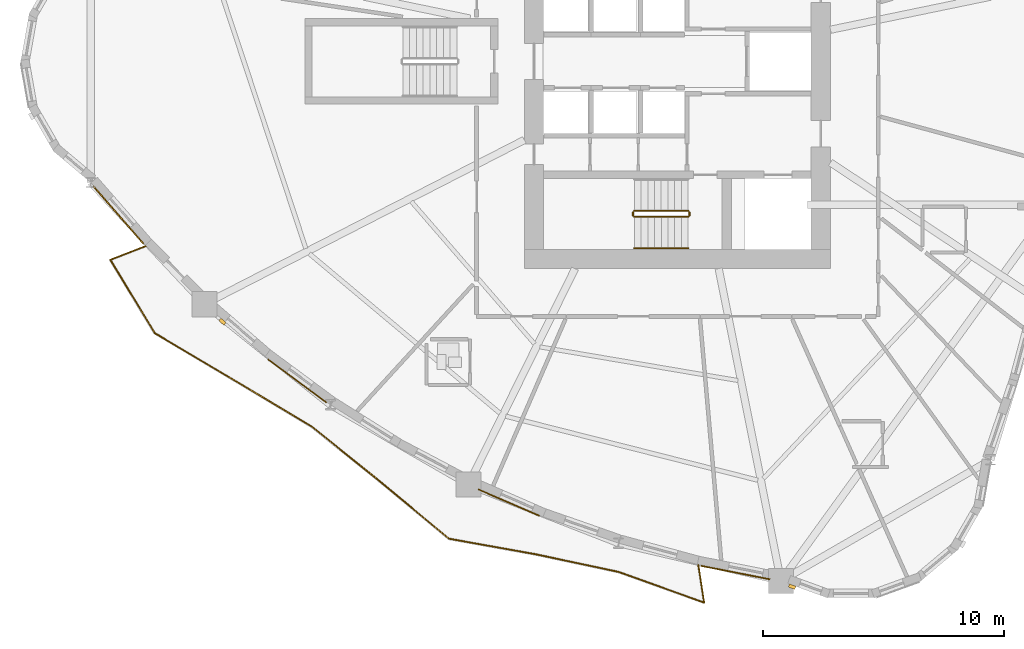
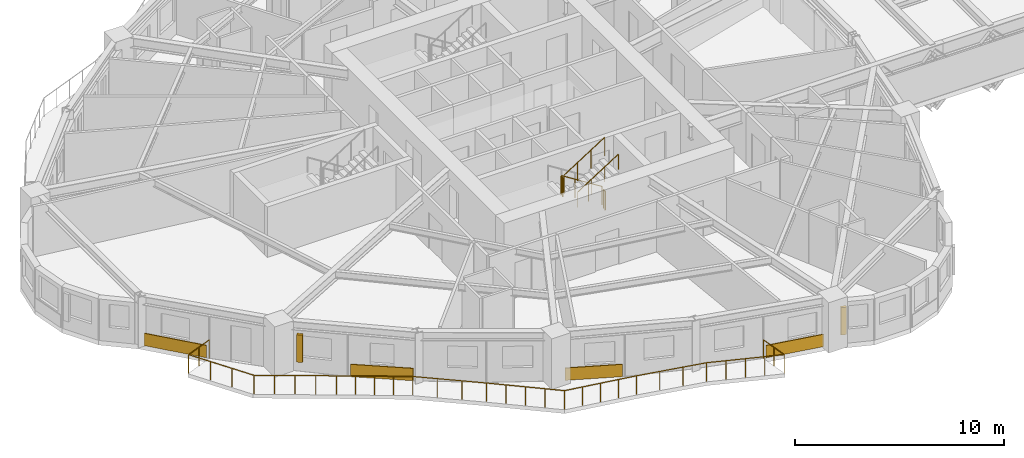
# One storey, part 12 of 16: 6 railings, 4 coverings, 2 shading devices.
"""IFC4 building model written with IfcOpenShell, lengths in metres."""

from ifc_helpers import new_model, si_unit, direction, frame, origin, origin_2d, place, context, subcontext, project, spatial, rectangle, circle, extrude, source, transform, mapped, material, layer, layer_set, type_object, element, save


model = new_model("IFC4")

# Units and contexts
model_context = context("Model", 3, precision=1e-05, world=origin(), true_north=direction((0.0, 1.0)))
body_context = subcontext(model_context, "Body", "Model", "MODEL_VIEW")
ifc_project = project(units=[si_unit("LENGTHUNIT", "METRE"), si_unit("AREAUNIT", "SQUARE_METRE"), si_unit("VOLUMEUNIT", "CUBIC_METRE"), si_unit("PLANEANGLEUNIT", "RADIAN"), si_unit("MASSUNIT", "GRAM", prefix="KILO")], contexts=[model_context])

# Site, building, storey
site_placement = place(None, origin())
site = spatial("IfcSite", under=ifc_project, at=site_placement, CompositionType="ELEMENT")
building_placement = place(site_placement, origin())
building = spatial("IfcBuilding", under=site, at=building_placement, Name="Qafzar Sky-Pleat Residences", CompositionType="ELEMENT")
storey_placement = place(building_placement, frame((0.0, 0.0, 33.39990234375)))
storey = spatial("IfcBuildingStorey", under=building, at=storey_placement, Name="L09", CompositionType="ELEMENT", Elevation=33.39990234375)

# Shading devices
ifc_material_1 = material(Name="Honed Riyadh limestone solar fin", Category="masonry")
ifc_layer_1 = layer(ifc_material_1, 0.139892578125)
ifc_layer_set_1 = layer_set([ifc_layer_1], Name="Honed Riyadh limestone solar fin")
shading_device_type = type_object("IfcShadingDeviceType", Name="SHD-FIN-STONE", PredefinedType="SHUTTER", material=ifc_layer_set_1)
shared_shape_1 = source(origin(), body_context, "Body", "SweptSolid", [
    extrude(rectangle(XDim=0.139892578125, YDim=0.280029296875, at=origin_2d()), origin(), (0.0, 0.0, 1.0), 1.60009765625),
])
for number, where, z_axis, x_axis, name in (
    (1, (11.478515625, 15.2001953125, 0.60009765625), (0.0, 0.0, 1.0), (-0.652861447294, -0.757477346616, 0.0), "L09 Limestone Solar Fin 9"),
    (2, (35.10791015625, 4.20703125, 0.60009765625), (0.0, 0.0, 1.0), (-0.342010122116, -0.939696268148, 0.0), "L09 Limestone Solar Fin 17"),
):
    element("IfcShadingDevice", number, at=place(storey_placement, frame(where, z_axis=z_axis, x_axis=x_axis)), inside=storey, type_object=shading_device_type, Name=name, PredefinedType="SHUTTER", context=body_context, shape_type="MappedRepresentation", body=[
        mapped(shared_shape_1, transform((0.0, 0.0, 0.0), x_axis=(1.0, 0.0, 0.0), y_axis=(0.0, 1.0, 0.0), z_axis=(0.0, 0.0, 1.0), scale=1.0)),
    ])

# Coverings
ifc_material_2 = material(Name="Honed Riyadh Tuwaiq limestone cladding", Category="masonry")
ifc_layer_2 = layer(ifc_material_2, 0.044921875)
ifc_layer_set_2 = layer_set([ifc_layer_2], Name="Honed Riyadh Tuwaiq limestone cladding")
covering_type = type_object("IfcCoveringType", Name="COV-CLAD-STONE", PredefinedType="CLADDING", material=ifc_layer_set_2)
shared_shape_2 = source(origin(), body_context, "Body", "SweptSolid", [
    extrude(rectangle(XDim=2.75927734375, YDim=0.044921875, at=origin_2d()), origin(), (0.0, 0.0, 1.0), 0.719970703125),
])
covering_1_placement = place(storey_placement, frame((23.35546875, 7.695068359375, 0.02001953125), z_axis=(0.0, 0.0, 1.0), x_axis=(0.917079389831, -0.398704643499, 0.0)))
element("IfcCovering", 3, at=covering_1_placement, inside=storey, type_object=covering_type, Name="L09 Riyadh Limestone Spandrel Cladding 13", PredefinedType="CLADDING", context=body_context, shape_type="MappedRepresentation", body=[
    mapped(shared_shape_2, transform((0.0, 0.0, 0.0), x_axis=(1.0, 0.0, 0.0), y_axis=(0.0, 1.0, 0.0), z_axis=(0.0, 0.0, 1.0), scale=1.0)),
])
shared_shape_3 = source(origin(), body_context, "Body", "SweptSolid", [
    extrude(rectangle(XDim=3.01123046875, YDim=0.044921875, at=origin_2d()), origin(), (0.0, 0.0, 1.0), 0.719970703125),
])
covering_2_placement = place(storey_placement, frame((14.582275390625, 12.741943359375, 0.02001953125), z_axis=(0.0, 0.0, 1.0), x_axis=(0.803807027233, -0.594890126805, 0.0)))
element("IfcCovering", 4, at=covering_2_placement, inside=storey, type_object=covering_type, Name="L09 Riyadh Limestone Spandrel Cladding 10", PredefinedType="CLADDING", context=body_context, shape_type="MappedRepresentation", body=[
    mapped(shared_shape_3, transform((0.0, 0.0, 0.0), x_axis=(1.0, 0.0, 0.0), y_axis=(0.0, 1.0, 0.0), z_axis=(0.0, 0.0, 1.0), scale=1.0)),
])

# Railing
ifc_material_3 = material(Name="Laminated glass and bronze steel balustrade", Category="steel")
railing_type_1 = type_object("IfcRailingType", Name="RAIL-BAL-1100", PredefinedType="BALUSTRADE", material=ifc_material_3)
shared_shape_4 = source(origin(), body_context, "Body", "SweptSolid", [
    extrude(circle(Radius=0.02392578125, at=origin_2d()), frame((0.0, 0.0, 1.076171875), z_axis=(-0.932039510577, -0.362356662313, 0.0), x_axis=(0.362356662313, -0.932039510577, 0.0)), (0.0, 0.0, 1.0), 1.577880859375),
    extrude(circle(Radius=0.02392578125, at=origin_2d()), frame((-1.470703125, -0.57177734375, 1.076171875), z_axis=(0.517682355808, -0.855572894899, 0.0), x_axis=(0.855572894899, 0.517682355808, 0.0)), (0.0, 0.0, 1.0), 3.556396484375),
    extrude(circle(Radius=0.02392578125, at=origin_2d()), frame((0.370361328125, -3.614501953125, 1.076171875), z_axis=(0.860201022615, -0.50995509674, 0.0), x_axis=(0.50995509674, 0.860201022615, 0.0)), (0.0, 0.0, 1.0), 3.94384765625),
    extrude(circle(Radius=0.02392578125, at=origin_2d()), frame((3.762939453125, -5.625732421875, 1.076171875), z_axis=(0.858254409428, -0.513224481779, 0.0), x_axis=(0.513224481779, 0.858254409428, 0.0)), (0.0, 0.0, 1.0), 3.644775390625),
    extrude(circle(Radius=0.02392578125, at=origin_2d()), frame((6.89111328125, -7.496337890625, 1.076171875), z_axis=(0.779347428891, -0.626592040391, 0.0), x_axis=(0.626592040391, 0.779347428891, 0.0)), (0.0, 0.0, 1.0), 3.559326171875),
    extrude(circle(Radius=0.02392578125, at=origin_2d()), frame((9.6650390625, -9.7265625, 1.076171875), z_axis=(0.769557646334, -0.638577347679, 0.0), x_axis=(0.638577347679, 0.769557646334, 0.0)), (0.0, 0.0, 1.0), 3.783935546875),
    extrude(circle(Radius=0.02392578125, at=origin_2d()), frame((12.576904296875, -12.142822265625, 1.076171875), z_axis=(0.984256284045, -0.176747184753, 0.0), x_axis=(0.176747184753, 0.984256284045, 0.0)), (0.0, 0.0, 1.0), 3.64794921875),
    extrude(circle(Radius=0.02392578125, at=origin_2d()), frame((16.16748046875, -12.78759765625, 1.076171875), z_axis=(0.978117941282, -0.208051178662, 0.0), x_axis=(0.208051178662, 0.978117941282, 0.0)), (0.0, 0.0, 1.0), 3.5205078125),
    extrude(circle(Radius=0.02392578125, at=origin_2d()), frame((19.61083984375, -13.52001953125, 1.076171875), z_axis=(0.941329704876, -0.337488350493, 0.0), x_axis=(0.337488350493, 0.941329704876, 0.0)), (0.0, 0.0, 1.0), 3.771728515625),
    extrude(circle(Radius=0.02392578125, at=origin_2d()), frame((23.161376953125, -14.79296875, 1.076171875), z_axis=(-0.152243201733, 0.988343061657, 0.0), x_axis=(-0.988343061657, -0.152243201733, 0.0)), (0.0, 0.0, 1.0), 1.577880859375),
    extrude(circle(Radius=0.02099609375, at=origin_2d()), origin(), (0.0, 0.0, 1.0), 1.052001953125),
    extrude(circle(Radius=0.02099609375, at=origin_2d()), frame((-0.7353515625, -0.285888671875, 0.0)), (0.0, 0.0, 1.0), 1.052001953125),
    extrude(circle(Radius=0.02099609375, at=origin_2d()), frame((-1.470703125, -0.57177734375, 0.0)), (0.0, 0.0, 1.0), 1.052001953125),
    extrude(circle(Radius=0.02099609375, at=origin_2d()), frame((-0.85693359375, -1.5859375, 0.0)), (0.0, 0.0, 1.0), 1.052001953125),
    extrude(circle(Radius=0.02099609375, at=origin_2d()), frame((-0.243408203125, -2.600341796875, 0.0)), (0.0, 0.0, 1.0), 1.052001953125),
    extrude(circle(Radius=0.02099609375, at=origin_2d()), frame((0.370361328125, -3.614501953125, 0.0)), (0.0, 0.0, 1.0), 1.052001953125),
    extrude(circle(Radius=0.02099609375, at=origin_2d()), frame((1.218505859375, -4.1171875, 0.0)), (0.0, 0.0, 1.0), 1.052001953125),
    extrude(circle(Radius=0.02099609375, at=origin_2d()), frame((2.066650390625, -4.6201171875, 0.0)), (0.0, 0.0, 1.0), 1.052001953125),
    extrude(circle(Radius=0.02099609375, at=origin_2d()), frame((2.914794921875, -5.123046875, 0.0)), (0.0, 0.0, 1.0), 1.052001953125),
    extrude(circle(Radius=0.02099609375, at=origin_2d()), frame((3.762939453125, -5.625732421875, 0.0)), (0.0, 0.0, 1.0), 1.052001953125),
    extrude(circle(Radius=0.02099609375, at=origin_2d()), frame((4.544921875, -6.09326171875, 0.0)), (0.0, 0.0, 1.0), 1.052001953125),
    extrude(circle(Radius=0.02099609375, at=origin_2d()), frame((5.3271484375, -6.56103515625, 0.0)), (0.0, 0.0, 1.0), 1.052001953125),
    extrude(circle(Radius=0.02099609375, at=origin_2d()), frame((6.109130859375, -7.02880859375, 0.0)), (0.0, 0.0, 1.0), 1.052001953125),
    extrude(circle(Radius=0.02099609375, at=origin_2d()), frame((6.89111328125, -7.496337890625, 0.0)), (0.0, 0.0, 1.0), 1.052001953125),
    extrude(circle(Radius=0.02099609375, at=origin_2d()), frame((7.815673828125, -8.23974609375, 0.0)), (0.0, 0.0, 1.0), 1.052001953125),
    extrude(circle(Radius=0.02099609375, at=origin_2d()), frame((8.740478515625, -8.983154296875, 0.0)), (0.0, 0.0, 1.0), 1.052001953125),
    extrude(circle(Radius=0.02099609375, at=origin_2d()), frame((9.6650390625, -9.7265625, 0.0)), (0.0, 0.0, 1.0), 1.052001953125),
    extrude(circle(Radius=0.02099609375, at=origin_2d()), frame((10.39306640625, -10.33056640625, 0.0)), (0.0, 0.0, 1.0), 1.052001953125),
    extrude(circle(Radius=0.02099609375, at=origin_2d()), frame((11.12109375, -10.9345703125, 0.0)), (0.0, 0.0, 1.0), 1.052001953125),
    extrude(circle(Radius=0.02099609375, at=origin_2d()), frame((11.848876953125, -11.538818359375, 0.0)), (0.0, 0.0, 1.0), 1.052001953125),
    extrude(circle(Radius=0.02099609375, at=origin_2d()), frame((12.576904296875, -12.142822265625, 0.0)), (0.0, 0.0, 1.0), 1.052001953125),
    extrude(circle(Radius=0.02099609375, at=origin_2d()), frame((13.474609375, -12.303955078125, 0.0)), (0.0, 0.0, 1.0), 1.052001953125),
    extrude(circle(Radius=0.02099609375, at=origin_2d()), frame((14.3720703125, -12.46533203125, 0.0)), (0.0, 0.0, 1.0), 1.052001953125),
    extrude(circle(Radius=0.02099609375, at=origin_2d()), frame((15.269775390625, -12.62646484375, 0.0)), (0.0, 0.0, 1.0), 1.052001953125),
    extrude(circle(Radius=0.02099609375, at=origin_2d()), frame((16.16748046875, -12.78759765625, 0.0)), (0.0, 0.0, 1.0), 1.052001953125),
    extrude(circle(Radius=0.02099609375, at=origin_2d()), frame((17.315185546875, -13.03173828125, 0.0)), (0.0, 0.0, 1.0), 1.052001953125),
    extrude(circle(Radius=0.02099609375, at=origin_2d()), frame((18.463134765625, -13.27587890625, 0.0)), (0.0, 0.0, 1.0), 1.052001953125),
    extrude(circle(Radius=0.02099609375, at=origin_2d()), frame((19.61083984375, -13.52001953125, 0.0)), (0.0, 0.0, 1.0), 1.052001953125),
    extrude(circle(Radius=0.02099609375, at=origin_2d()), frame((20.49853515625, -13.83837890625, 0.0)), (0.0, 0.0, 1.0), 1.052001953125),
    extrude(circle(Radius=0.02099609375, at=origin_2d()), frame((21.38623046875, -14.156494140625, 0.0)), (0.0, 0.0, 1.0), 1.052001953125),
    extrude(circle(Radius=0.02099609375, at=origin_2d()), frame((22.273681640625, -14.474609375, 0.0)), (0.0, 0.0, 1.0), 1.052001953125),
    extrude(circle(Radius=0.02099609375, at=origin_2d()), frame((23.161376953125, -14.79296875, 0.0)), (0.0, 0.0, 1.0), 1.052001953125),
    extrude(circle(Radius=0.02099609375, at=origin_2d()), frame((23.041259765625, -14.01318359375, 0.0)), (0.0, 0.0, 1.0), 1.052001953125),
    extrude(circle(Radius=0.02099609375, at=origin_2d()), frame((22.921142578125, -13.2333984375, 0.0)), (0.0, 0.0, 1.0), 1.052001953125),
])
railing_1_placement = place(storey_placement, frame((8.296875, 18.340087890625, 0.0)))
element("IfcRailing", 5, at=railing_1_placement, inside=storey, type_object=railing_type_1, Name="L09 Pleated Balcony 2 Balustrade", PredefinedType="BALUSTRADE", context=body_context, shape_type="MappedRepresentation", body=[
    mapped(shared_shape_4, transform((0.0, 0.0, 0.0), x_axis=(1.0, 0.0, 0.0), y_axis=(0.0, 1.0, 0.0), z_axis=(0.0, 0.0, 1.0), scale=1.0)),
])

# Coverings
shared_shape_5 = source(origin(), body_context, "Body", "SweptSolid", [
    extrude(rectangle(XDim=3.161376953125, YDim=0.044921875, at=origin_2d()), origin(), (0.0, 0.0, 1.0), 0.719970703125),
])
covering_3_placement = place(storey_placement, frame((7.16162109375, 19.62451171875, 0.02001953125), z_axis=(0.0, 0.0, 1.0), x_axis=(0.657627387278, -0.75334336096, 0.0)))
element("IfcCovering", 6, at=covering_3_placement, inside=storey, type_object=covering_type, Name="L09 Riyadh Limestone Spandrel Cladding 7", PredefinedType="CLADDING", context=body_context, shape_type="MappedRepresentation", body=[
    mapped(shared_shape_5, transform((0.0, 0.0, 0.0), x_axis=(1.0, 0.0, 0.0), y_axis=(0.0, 1.0, 0.0), z_axis=(0.0, 0.0, 1.0), scale=1.0)),
])
shared_shape_6 = source(origin(), body_context, "Body", "SweptSolid", [
    extrude(rectangle(XDim=2.9091796875, YDim=0.044921875, at=origin_2d()), origin(), (0.0, 0.0, 1.0), 0.719970703125),
])
covering_4_placement = place(storey_placement, frame((32.760498046875, 4.79248046875, 0.02001953125), z_axis=(0.0, 0.0, 1.0), x_axis=(0.981227291247, -0.19285487526, 0.0)))
element("IfcCovering", 7, at=covering_4_placement, inside=storey, type_object=covering_type, Name="L09 Riyadh Limestone Spandrel Cladding 16", PredefinedType="CLADDING", context=body_context, shape_type="MappedRepresentation", body=[
    mapped(shared_shape_6, transform((0.0, 0.0, 0.0), x_axis=(1.0, 0.0, 0.0), y_axis=(0.0, 1.0, 0.0), z_axis=(0.0, 0.0, 1.0), scale=1.0)),
])

# Railings
ifc_material_4 = material(Name="Painted Steel S355 stair guardrail", Category="steel")
railing_type_2 = type_object("IfcRailingType", Name="RAIL-STAIR-GUARD", PredefinedType="GUARDRAIL", material=ifc_material_4)
shared_shape_7 = source(origin(), body_context, "Body", "SweptSolid", [
    extrude(circle(Radius=0.02392578125, at=origin_2d()), frame((0.0, 0.0, 1.076171875), z_axis=(0.0, -1.0, 0.0), x_axis=(1.0, 0.0, 0.0)), (0.0, 0.0, 1.0), 0.14990234375),
    extrude(circle(Radius=0.02099609375, at=origin_2d()), origin(), (0.0, 0.0, 1.0), 1.052001953125),
    extrude(circle(Radius=0.02099609375, at=origin_2d()), frame((0.0, -0.14990234375, 0.0)), (0.0, 0.0, 1.0), 1.052001953125),
])
for number, where, name in (
    (8, (28.510009765625, 19.75, 1.60009765625), "L09 ST1 stair guard 2"),
    (9, (30.85009765625, 19.75, 0.0), "L09 ST1 stair guard 4"),
):
    element("IfcRailing", number, at=place(storey_placement, frame(where)), inside=storey, type_object=railing_type_2, Name=name, PredefinedType="GUARDRAIL", context=body_context, shape_type="MappedRepresentation", body=[
        mapped(shared_shape_7, transform((0.0, 0.0, 0.0), x_axis=(1.0, 0.0, 0.0), y_axis=(0.0, 1.0, 0.0), z_axis=(0.0, 0.0, 1.0), scale=1.0)),
    ])
shared_shape_8 = source(origin(), body_context, "Body", "SweptSolid", [
    extrude(circle(Radius=0.02392578125, at=origin_2d()), frame((0.0, 0.0, 1.076171875), z_axis=(-0.8442293374, 0.0, 0.53598211339), x_axis=(0.0, -1.0, 0.0)), (0.0, 0.0, 1.0), 2.6533203125),
    extrude(circle(Radius=0.02099609375, at=origin_2d()), origin(), (0.0, 0.0, 1.0), 1.052001953125),
    extrude(circle(Radius=0.02099609375, at=origin_2d()), frame((-0.74658203125, 0.0, 0.47412109375)), (0.0, 0.0, 1.0), 1.052001953125),
    extrude(circle(Radius=0.02099609375, at=origin_2d()), frame((-1.493408203125, 0.0, 0.947998046875)), (0.0, 0.0, 1.0), 1.052001953125),
    extrude(circle(Radius=0.02099609375, at=origin_2d()), frame((-2.239990234375, 0.0, 1.422119140625)), (0.0, 0.0, 1.0), 1.052001953125),
])
railing_2_placement = place(storey_placement, frame((30.800048828125, 19.800048828125, 0.177978515625)))
element("IfcRailing", 10, at=railing_2_placement, inside=storey, type_object=railing_type_2, Name="L09 ST1 stair guard 1", PredefinedType="GUARDRAIL", context=body_context, shape_type="MappedRepresentation", body=[
    mapped(shared_shape_8, transform((0.0, 0.0, 0.0), x_axis=(1.0, 0.0, 0.0), y_axis=(0.0, 1.0, 0.0), z_axis=(0.0, 0.0, 1.0), scale=1.0)),
])
shared_shape_9 = source(origin(), body_context, "Body", "SweptSolid", [
    extrude(circle(Radius=0.02392578125, at=origin_2d()), frame((0.0, 0.0, 1.076171875), z_axis=(0.84418770128, 0.0, 0.536047689118), x_axis=(0.0, 1.0, 0.0)), (0.0, 0.0, 1.0), 2.6533203125),
    extrude(circle(Radius=0.02099609375, at=origin_2d()), origin(), (0.0, 0.0, 1.0), 1.052001953125),
    extrude(circle(Radius=0.02099609375, at=origin_2d()), frame((0.74658203125, 0.0, 0.47412109375)), (0.0, 0.0, 1.0), 1.052001953125),
    extrude(circle(Radius=0.02099609375, at=origin_2d()), frame((1.493408203125, 0.0, 0.9482421875)), (0.0, 0.0, 1.0), 1.052001953125),
    extrude(circle(Radius=0.02099609375, at=origin_2d()), frame((2.239990234375, 0.0, 1.42236328125)), (0.0, 0.0, 1.0), 1.052001953125),
])
railing_3_placement = place(storey_placement, frame((28.56005859375, 19.550048828125, 1.77783203125)))
element("IfcRailing", 11, at=railing_3_placement, inside=storey, type_object=railing_type_2, Name="L09 ST1 stair guard 3", PredefinedType="GUARDRAIL", context=body_context, shape_type="MappedRepresentation", body=[
    mapped(shared_shape_9, transform((0.0, 0.0, 0.0), x_axis=(1.0, 0.0, 0.0), y_axis=(0.0, 1.0, 0.0), z_axis=(0.0, 0.0, 1.0), scale=1.0)),
])
ifc_material_5 = material(Name="Brushed stainless steel handrail", Category="steel")
railing_type_3 = type_object("IfcRailingType", Name="RAIL-STAIR-HAND", PredefinedType="HANDRAIL", material=ifc_material_5)
shared_shape_10 = source(origin(), body_context, "Body", "SweptSolid", [
    extrude(circle(Radius=0.02392578125, at=origin_2d()), frame((0.0, 0.0, 0.8759765625), z_axis=(0.84418770128, 0.0, 0.536047689118), x_axis=(0.0, 1.0, 0.0)), (0.0, 0.0, 1.0), 2.6533203125),
    extrude(circle(Radius=0.02099609375, at=origin_2d()), origin(), (0.0, 0.0, 1.0), 0.851806640625),
    extrude(circle(Radius=0.02099609375, at=origin_2d()), frame((0.74658203125, 0.0, 0.47412109375)), (0.0, 0.0, 1.0), 0.851806640625),
    extrude(circle(Radius=0.02099609375, at=origin_2d()), frame((1.493408203125, 0.0, 0.9482421875)), (0.0, 0.0, 1.0), 0.851806640625),
    extrude(circle(Radius=0.02099609375, at=origin_2d()), frame((2.239990234375, 0.0, 1.42236328125)), (0.0, 0.0, 1.0), 0.851806640625),
])
railing_4_placement = place(storey_placement, frame((28.56005859375, 18.25, 1.77783203125)))
element("IfcRailing", 12, at=railing_4_placement, inside=storey, type_object=railing_type_3, Name="L09 ST1 stair handrail 2", PredefinedType="HANDRAIL", context=body_context, shape_type="MappedRepresentation", body=[
    mapped(shared_shape_10, transform((0.0, 0.0, 0.0), x_axis=(1.0, 0.0, 0.0), y_axis=(0.0, 1.0, 0.0), z_axis=(0.0, 0.0, 1.0), scale=1.0)),
])

save(model, "model.ifc")
